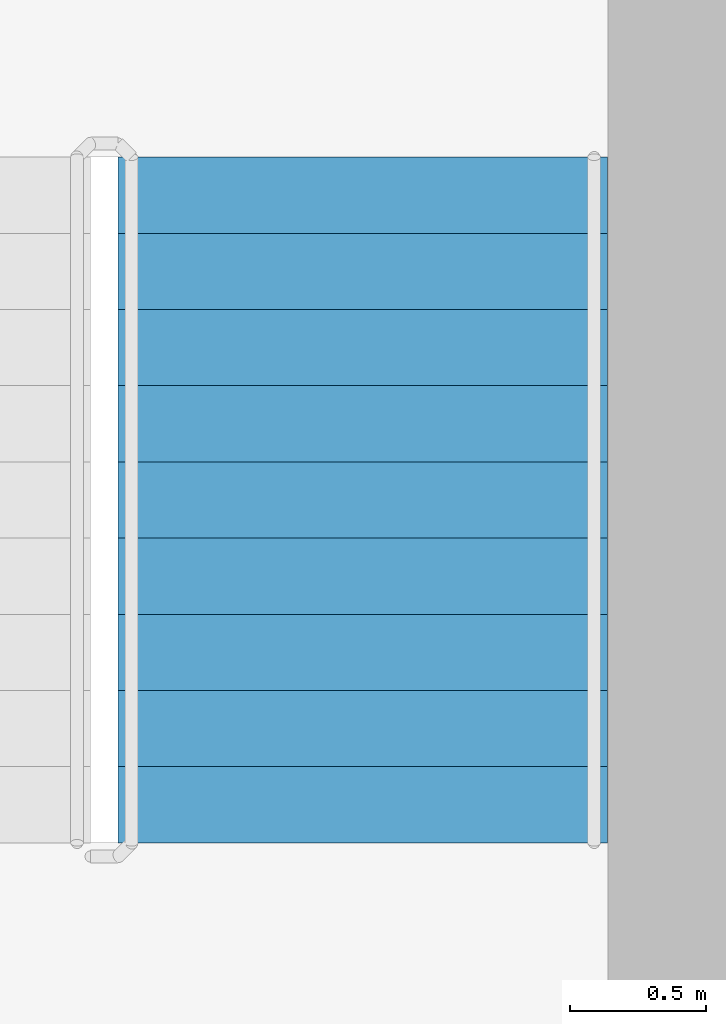
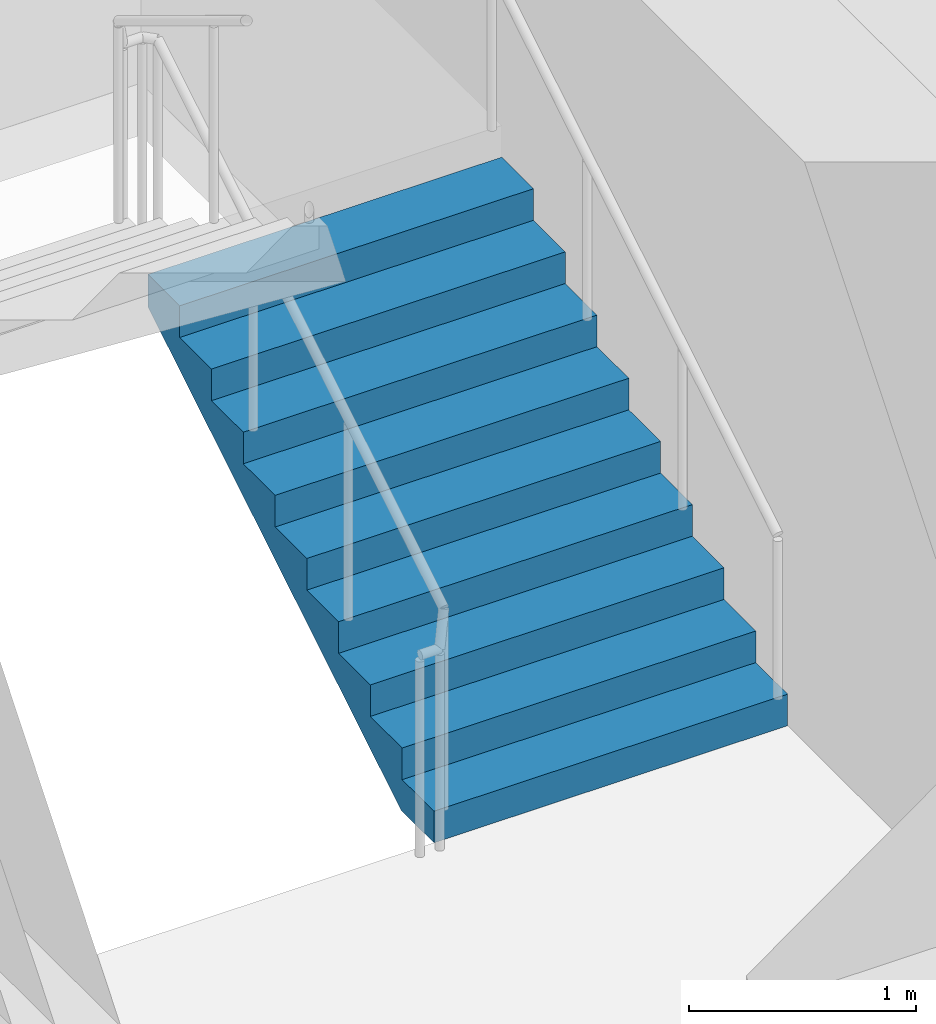
# One storey, part 12 of 22: 1 stair flight, 1 element without a shape of its own.
"""IFC4 building model written with IfcOpenShell, lengths in metres."""

from ifc_helpers import new_model, si_unit, direction, frame, origin, place, context, subcontext, project, spatial, triangles, source, transform, mapped, material, type_object, element, aggregate, save


model = new_model("IFC4")

# Units and contexts
model_context = context("Model", 3, precision=1e-05, world=origin(), true_north=direction((0.0, 1.0)))
body_context = subcontext(model_context, "Body", "Model", "MODEL_VIEW")
ifc_project = project(units=[si_unit("LENGTHUNIT", "METRE"), si_unit("AREAUNIT", "SQUARE_METRE"), si_unit("VOLUMEUNIT", "CUBIC_METRE"), si_unit("PLANEANGLEUNIT", "RADIAN"), si_unit("MASSUNIT", "GRAM", prefix="KILO")], contexts=[model_context])

# Site, building, storey
site_placement = place(None, origin())
site = spatial("IfcSite", under=ifc_project, at=site_placement, CompositionType="ELEMENT")
building_placement = place(site_placement, origin())
building = spatial("IfcBuilding", under=site, at=building_placement, Name="Kilnfold Tower and Market Hall", CompositionType="ELEMENT")
storey_placement = place(building_placement, frame((0.0, 0.0, 213.5)))
storey = spatial("IfcBuildingStorey", under=building, at=storey_placement, Name="L52", CompositionType="ELEMENT", Elevation=213.5)

# Stair, stair flight
ifc_material_1 = material(Name="Concrete C40/50", Category="concrete")
stair_type = type_object("IfcStairType", Name="CORE STAIR 1800", PredefinedType="HALF_TURN_STAIR", material=ifc_material_1)
stair_placement = place(storey_placement, origin())
stair = element("IfcStair", 1, at=stair_placement, inside=storey, type_object=stair_type, Name="L52 ST2", PredefinedType="HALF_TURN_STAIR")
ifc_material_2 = material(Name="Concrete C40/50", Category="concrete")
stair_flight_type = type_object("IfcStairFlightType", Name="CORE STAIR FLIGHT 1800", PredefinedType="STRAIGHT", material=ifc_material_2)
shared_shape = source(origin(), body_context, "Body", "Tessellation", [
    triangles([(0.0, 0.89990234375, 0.0), (0.0, 0.78759765625, 0.0), (0.0, 0.675048828125, 0.0), (0.0, 0.5625, 0.0), (0.0, 0.449951171875, 0.0), (0.0, 0.33740234375, 0.0), (0.0, 0.22509765625, 0.0), (0.0, 0.112548828125, 0.0), (0.0, 0.0, 0.0), (0.0, -0.112548828125, 0.0), (0.0, -0.22509765625, 0.0), (0.0, -0.33740234375, 0.0), (0.0, -0.449951171875, 0.0), (0.0, -0.5625, 0.0), (0.0, -0.675048828125, 0.0), (0.0, -0.78759765625, 0.0), (0.0, -0.89990234375, 0.0), (0.0, 0.89990234375, 0.169921875), (0.0, 0.78759765625, 0.169921875), (0.0, 0.675048828125, 0.169921875), (0.0, 0.5625, 0.169921875), (0.0, 0.449951171875, 0.169921875), (0.0, 0.33740234375, 0.169921875), (0.0, 0.22509765625, 0.169921875), (0.0, 0.112548828125, 0.169921875), (0.0, 0.0, 0.169921875), (0.0, -0.112548828125, 0.169921875), (0.0, -0.22509765625, 0.169921875), (0.0, -0.33740234375, 0.169921875), (0.0, -0.449951171875, 0.169921875), (0.0, -0.5625, 0.169921875), (0.0, -0.675048828125, 0.169921875), (0.0, -0.78759765625, 0.169921875), (0.0, -0.89990234375, 0.169921875), (0.280029296875, 0.89990234375, 0.169921875), (0.280029296875, 0.78759765625, 0.169921875), (0.280029296875, 0.675048828125, 0.169921875), (0.280029296875, 0.5625, 0.169921875), (0.280029296875, 0.449951171875, 0.169921875), (0.280029296875, 0.33740234375, 0.169921875), (0.280029296875, 0.22509765625, 0.169921875), (0.280029296875, 0.112548828125, 0.169921875), (0.280029296875, 0.0, 0.169921875), (0.280029296875, -0.112548828125, 0.169921875), (0.280029296875, -0.22509765625, 0.169921875), (0.280029296875, -0.33740234375, 0.169921875), (0.280029296875, -0.449951171875, 0.169921875), (0.280029296875, -0.5625, 0.169921875), (0.280029296875, -0.675048828125, 0.169921875), (0.280029296875, -0.78759765625, 0.169921875), (0.280029296875, -0.89990234375, 0.169921875), (0.280029296875, 0.89990234375, 0.340087890625), (0.280029296875, 0.78759765625, 0.340087890625), (0.280029296875, 0.675048828125, 0.340087890625), (0.280029296875, 0.5625, 0.340087890625), (0.280029296875, 0.449951171875, 0.340087890625), (0.280029296875, 0.33740234375, 0.340087890625), (0.280029296875, 0.22509765625, 0.340087890625), (0.280029296875, 0.112548828125, 0.340087890625), (0.280029296875, 0.0, 0.340087890625), (0.280029296875, -0.112548828125, 0.340087890625), (0.280029296875, -0.22509765625, 0.340087890625), (0.280029296875, -0.33740234375, 0.340087890625), (0.280029296875, -0.449951171875, 0.340087890625), (0.280029296875, -0.5625, 0.340087890625), (0.280029296875, -0.675048828125, 0.340087890625), (0.280029296875, -0.78759765625, 0.340087890625), (0.280029296875, -0.89990234375, 0.340087890625), (0.56005859375, 0.89990234375, 0.340087890625), (0.56005859375, 0.78759765625, 0.340087890625), (0.56005859375, 0.675048828125, 0.340087890625), (0.56005859375, 0.5625, 0.340087890625), (0.56005859375, 0.449951171875, 0.340087890625), (0.56005859375, 0.33740234375, 0.340087890625), (0.56005859375, 0.22509765625, 0.340087890625), (0.56005859375, 0.112548828125, 0.340087890625), (0.56005859375, 0.0, 0.340087890625), (0.56005859375, -0.112548828125, 0.340087890625), (0.56005859375, -0.22509765625, 0.340087890625), (0.56005859375, -0.33740234375, 0.340087890625), (0.56005859375, -0.449951171875, 0.340087890625), (0.56005859375, -0.5625, 0.340087890625), (0.56005859375, -0.675048828125, 0.340087890625), (0.56005859375, -0.78759765625, 0.340087890625), (0.56005859375, -0.89990234375, 0.340087890625), (0.56005859375, 0.89990234375, 0.510009765625), (0.56005859375, 0.78759765625, 0.510009765625), (0.56005859375, 0.675048828125, 0.510009765625), (0.56005859375, 0.5625, 0.510009765625), (0.56005859375, 0.449951171875, 0.510009765625), (0.56005859375, 0.33740234375, 0.510009765625), (0.56005859375, 0.22509765625, 0.510009765625), (0.56005859375, 0.112548828125, 0.510009765625), (0.56005859375, 0.0, 0.510009765625), (0.56005859375, -0.112548828125, 0.510009765625), (0.56005859375, -0.22509765625, 0.510009765625), (0.56005859375, -0.33740234375, 0.510009765625), (0.56005859375, -0.449951171875, 0.510009765625), (0.56005859375, -0.5625, 0.510009765625), (0.56005859375, -0.675048828125, 0.510009765625), (0.56005859375, -0.78759765625, 0.510009765625), (0.56005859375, -0.89990234375, 0.510009765625), (0.840087890625, 0.89990234375, 0.510009765625), (0.840087890625, 0.78759765625, 0.510009765625), (0.840087890625, 0.675048828125, 0.510009765625), (0.840087890625, 0.5625, 0.510009765625), (0.840087890625, 0.449951171875, 0.510009765625), (0.840087890625, 0.33740234375, 0.510009765625), (0.840087890625, 0.22509765625, 0.510009765625), (0.840087890625, 0.112548828125, 0.510009765625), (0.840087890625, 0.0, 0.510009765625), (0.840087890625, -0.112548828125, 0.510009765625), (0.840087890625, -0.22509765625, 0.510009765625), (0.840087890625, -0.33740234375, 0.510009765625), (0.840087890625, -0.449951171875, 0.510009765625), (0.840087890625, -0.5625, 0.510009765625), (0.840087890625, -0.675048828125, 0.510009765625), (0.840087890625, -0.78759765625, 0.510009765625), (0.840087890625, -0.89990234375, 0.510009765625), (0.840087890625, 0.89990234375, 0.679931640625), (0.840087890625, 0.78759765625, 0.679931640625), (0.840087890625, 0.675048828125, 0.679931640625), (0.840087890625, 0.5625, 0.679931640625), (0.840087890625, 0.449951171875, 0.679931640625), (0.840087890625, 0.33740234375, 0.679931640625), (0.840087890625, 0.22509765625, 0.679931640625), (0.840087890625, 0.112548828125, 0.679931640625), (0.840087890625, 0.0, 0.679931640625), (0.840087890625, -0.112548828125, 0.679931640625), (0.840087890625, -0.22509765625, 0.679931640625), (0.840087890625, -0.33740234375, 0.679931640625), (0.840087890625, -0.449951171875, 0.679931640625), (0.840087890625, -0.5625, 0.679931640625), (0.840087890625, -0.675048828125, 0.679931640625), (0.840087890625, -0.78759765625, 0.679931640625), (0.840087890625, -0.89990234375, 0.679931640625), (1.1201171875, 0.89990234375, 0.679931640625), (1.1201171875, 0.78759765625, 0.679931640625), (1.1201171875, 0.675048828125, 0.679931640625), (1.1201171875, 0.5625, 0.679931640625), (1.1201171875, 0.449951171875, 0.679931640625), (1.1201171875, 0.33740234375, 0.679931640625), (1.1201171875, 0.22509765625, 0.679931640625), (1.1201171875, 0.112548828125, 0.679931640625), (1.1201171875, 0.0, 0.679931640625), (1.1201171875, -0.112548828125, 0.679931640625), (1.1201171875, -0.22509765625, 0.679931640625), (1.1201171875, -0.33740234375, 0.679931640625), (1.1201171875, -0.449951171875, 0.679931640625), (1.1201171875, -0.5625, 0.679931640625), (1.1201171875, -0.675048828125, 0.679931640625), (1.1201171875, -0.78759765625, 0.679931640625), (1.1201171875, -0.89990234375, 0.679931640625), (1.1201171875, 0.89990234375, 0.85009765625), (1.1201171875, 0.78759765625, 0.85009765625), (1.1201171875, 0.675048828125, 0.85009765625), (1.1201171875, 0.5625, 0.85009765625), (1.1201171875, 0.449951171875, 0.85009765625), (1.1201171875, 0.33740234375, 0.85009765625), (1.1201171875, 0.22509765625, 0.85009765625), (1.1201171875, 0.112548828125, 0.85009765625), (1.1201171875, 0.0, 0.85009765625), (1.1201171875, -0.112548828125, 0.85009765625), (1.1201171875, -0.22509765625, 0.85009765625), (1.1201171875, -0.33740234375, 0.85009765625), (1.1201171875, -0.449951171875, 0.85009765625), (1.1201171875, -0.5625, 0.85009765625), (1.1201171875, -0.675048828125, 0.85009765625), (1.1201171875, -0.78759765625, 0.85009765625), (1.1201171875, -0.89990234375, 0.85009765625), (1.39990234375, 0.89990234375, 0.85009765625), (1.39990234375, 0.78759765625, 0.85009765625), (1.39990234375, 0.675048828125, 0.85009765625), (1.39990234375, 0.5625, 0.85009765625), (1.39990234375, 0.449951171875, 0.85009765625), (1.39990234375, 0.33740234375, 0.85009765625), (1.39990234375, 0.22509765625, 0.85009765625), (1.39990234375, 0.112548828125, 0.85009765625), (1.39990234375, 0.0, 0.85009765625), (1.39990234375, -0.112548828125, 0.85009765625), (1.39990234375, -0.22509765625, 0.85009765625), (1.39990234375, -0.33740234375, 0.85009765625), (1.39990234375, -0.449951171875, 0.85009765625), (1.39990234375, -0.5625, 0.85009765625), (1.39990234375, -0.675048828125, 0.85009765625), (1.39990234375, -0.78759765625, 0.85009765625), (1.39990234375, -0.89990234375, 0.85009765625), (1.39990234375, 0.89990234375, 1.02001953125), (1.39990234375, 0.78759765625, 1.02001953125), (1.39990234375, 0.675048828125, 1.02001953125), (1.39990234375, 0.5625, 1.02001953125), (1.39990234375, 0.449951171875, 1.02001953125), (1.39990234375, 0.33740234375, 1.02001953125), (1.39990234375, 0.22509765625, 1.02001953125), (1.39990234375, 0.112548828125, 1.02001953125), (1.39990234375, 0.0, 1.02001953125), (1.39990234375, -0.112548828125, 1.02001953125), (1.39990234375, -0.22509765625, 1.02001953125), (1.39990234375, -0.33740234375, 1.02001953125), (1.39990234375, -0.449951171875, 1.02001953125), (1.39990234375, -0.5625, 1.02001953125), (1.39990234375, -0.675048828125, 1.02001953125), (1.39990234375, -0.78759765625, 1.02001953125), (1.39990234375, -0.89990234375, 1.02001953125), (1.679931640625, 0.89990234375, 1.02001953125), (1.679931640625, 0.78759765625, 1.02001953125), (1.679931640625, 0.675048828125, 1.02001953125), (1.679931640625, 0.5625, 1.02001953125), (1.679931640625, 0.449951171875, 1.02001953125), (1.679931640625, 0.33740234375, 1.02001953125), (1.679931640625, 0.22509765625, 1.02001953125), (1.679931640625, 0.112548828125, 1.02001953125), (1.679931640625, 0.0, 1.02001953125), (1.679931640625, -0.112548828125, 1.02001953125), (1.679931640625, -0.22509765625, 1.02001953125), (1.679931640625, -0.33740234375, 1.02001953125), (1.679931640625, -0.449951171875, 1.02001953125), (1.679931640625, -0.5625, 1.02001953125), (1.679931640625, -0.675048828125, 1.02001953125), (1.679931640625, -0.78759765625, 1.02001953125), (1.679931640625, -0.89990234375, 1.02001953125), (1.679931640625, 0.89990234375, 1.18994140625), (1.679931640625, 0.78759765625, 1.18994140625), (1.679931640625, 0.675048828125, 1.18994140625), (1.679931640625, 0.5625, 1.18994140625), (1.679931640625, 0.449951171875, 1.18994140625), (1.679931640625, 0.33740234375, 1.18994140625), (1.679931640625, 0.22509765625, 1.18994140625), (1.679931640625, 0.112548828125, 1.18994140625), (1.679931640625, 0.0, 1.18994140625), (1.679931640625, -0.112548828125, 1.18994140625), (1.679931640625, -0.22509765625, 1.18994140625), (1.679931640625, -0.33740234375, 1.18994140625), (1.679931640625, -0.449951171875, 1.18994140625), (1.679931640625, -0.5625, 1.18994140625), (1.679931640625, -0.675048828125, 1.18994140625), (1.679931640625, -0.78759765625, 1.18994140625), (1.679931640625, -0.89990234375, 1.18994140625), (1.9599609375, 0.89990234375, 1.18994140625), (1.9599609375, 0.78759765625, 1.18994140625), (1.9599609375, 0.675048828125, 1.18994140625), (1.9599609375, 0.5625, 1.18994140625), (1.9599609375, 0.449951171875, 1.18994140625), (1.9599609375, 0.33740234375, 1.18994140625), (1.9599609375, 0.22509765625, 1.18994140625), (1.9599609375, 0.112548828125, 1.18994140625), (1.9599609375, 0.0, 1.18994140625), (1.9599609375, -0.112548828125, 1.18994140625), (1.9599609375, -0.22509765625, 1.18994140625), (1.9599609375, -0.33740234375, 1.18994140625), (1.9599609375, -0.449951171875, 1.18994140625), (1.9599609375, -0.5625, 1.18994140625), (1.9599609375, -0.675048828125, 1.18994140625), (1.9599609375, -0.78759765625, 1.18994140625), (1.9599609375, -0.89990234375, 1.18994140625), (1.9599609375, 0.89990234375, 1.360107421875), (1.9599609375, 0.78759765625, 1.360107421875), (1.9599609375, 0.675048828125, 1.360107421875), (1.9599609375, 0.5625, 1.360107421875), (1.9599609375, 0.449951171875, 1.360107421875), (1.9599609375, 0.33740234375, 1.360107421875), (1.9599609375, 0.22509765625, 1.360107421875), (1.9599609375, 0.112548828125, 1.360107421875), (1.9599609375, 0.0, 1.360107421875), (1.9599609375, -0.112548828125, 1.360107421875), (1.9599609375, -0.22509765625, 1.360107421875), (1.9599609375, -0.33740234375, 1.360107421875), (1.9599609375, -0.449951171875, 1.360107421875), (1.9599609375, -0.5625, 1.360107421875), (1.9599609375, -0.675048828125, 1.360107421875), (1.9599609375, -0.78759765625, 1.360107421875), (1.9599609375, -0.89990234375, 1.360107421875), (2.239990234375, 0.89990234375, 1.360107421875), (2.239990234375, 0.78759765625, 1.360107421875), (2.239990234375, 0.675048828125, 1.360107421875), (2.239990234375, 0.5625, 1.360107421875), (2.239990234375, 0.449951171875, 1.360107421875), (2.239990234375, 0.33740234375, 1.360107421875), (2.239990234375, 0.22509765625, 1.360107421875), (2.239990234375, 0.112548828125, 1.360107421875), (2.239990234375, 0.0, 1.360107421875), (2.239990234375, -0.112548828125, 1.360107421875), (2.239990234375, -0.22509765625, 1.360107421875), (2.239990234375, -0.33740234375, 1.360107421875), (2.239990234375, -0.449951171875, 1.360107421875), (2.239990234375, -0.5625, 1.360107421875), (2.239990234375, -0.675048828125, 1.360107421875), (2.239990234375, -0.78759765625, 1.360107421875), (2.239990234375, -0.89990234375, 1.360107421875), (2.239990234375, 0.89990234375, 1.530029296875), (2.239990234375, 0.78759765625, 1.530029296875), (2.239990234375, 0.675048828125, 1.530029296875), (2.239990234375, 0.5625, 1.530029296875), (2.239990234375, 0.449951171875, 1.530029296875), (2.239990234375, 0.33740234375, 1.530029296875), (2.239990234375, 0.22509765625, 1.530029296875), (2.239990234375, 0.112548828125, 1.530029296875), (2.239990234375, 0.0, 1.530029296875), (2.239990234375, -0.112548828125, 1.530029296875), (2.239990234375, -0.22509765625, 1.530029296875), (2.239990234375, -0.33740234375, 1.530029296875), (2.239990234375, -0.449951171875, 1.530029296875), (2.239990234375, -0.5625, 1.530029296875), (2.239990234375, -0.675048828125, 1.530029296875), (2.239990234375, -0.78759765625, 1.530029296875), (2.239990234375, -0.89990234375, 1.530029296875), (2.52001953125, 0.89990234375, 1.530029296875), (2.52001953125, 0.78759765625, 1.530029296875), (2.52001953125, 0.675048828125, 1.530029296875), (2.52001953125, 0.5625, 1.530029296875), (2.52001953125, 0.449951171875, 1.530029296875), (2.52001953125, 0.33740234375, 1.530029296875), (2.52001953125, 0.22509765625, 1.530029296875), (2.52001953125, 0.112548828125, 1.530029296875), (2.52001953125, 0.0, 1.530029296875), (2.52001953125, -0.112548828125, 1.530029296875), (2.52001953125, -0.22509765625, 1.530029296875), (2.52001953125, -0.33740234375, 1.530029296875), (2.52001953125, -0.449951171875, 1.530029296875), (2.52001953125, -0.5625, 1.530029296875), (2.52001953125, -0.675048828125, 1.530029296875), (2.52001953125, -0.78759765625, 1.530029296875), (2.52001953125, -0.89990234375, 1.530029296875), (2.52001953125, 0.89990234375, 1.354736328125), (2.52001953125, 0.78759765625, 1.354736328125), (2.52001953125, 0.675048828125, 1.354736328125), (2.52001953125, 0.5625, 1.354736328125), (2.52001953125, 0.449951171875, 1.354736328125), (2.52001953125, 0.33740234375, 1.354736328125), (2.52001953125, 0.22509765625, 1.354736328125), (2.52001953125, 0.112548828125, 1.354736328125), (2.52001953125, 0.0, 1.354736328125), (2.52001953125, -0.112548828125, 1.354736328125), (2.52001953125, -0.22509765625, 1.354736328125), (2.52001953125, -0.33740234375, 1.354736328125), (2.52001953125, -0.449951171875, 1.354736328125), (2.52001953125, -0.5625, 1.354736328125), (2.52001953125, -0.675048828125, 1.354736328125), (2.52001953125, -0.78759765625, 1.354736328125), (2.52001953125, -0.89990234375, 1.354736328125), (0.288818359375, 0.89990234375, 0.0), (0.288818359375, 0.78759765625, 0.0), (0.288818359375, 0.675048828125, 0.0), (0.288818359375, 0.5625, 0.0), (0.288818359375, 0.449951171875, 0.0), (0.288818359375, 0.33740234375, 0.0), (0.288818359375, 0.22509765625, 0.0), (0.288818359375, 0.112548828125, 0.0), (0.288818359375, 0.0, 0.0), (0.288818359375, -0.112548828125, 0.0), (0.288818359375, -0.22509765625, 0.0), (0.288818359375, -0.33740234375, 0.0), (0.288818359375, -0.449951171875, 0.0), (0.288818359375, -0.5625, 0.0), (0.288818359375, -0.675048828125, 0.0), (0.288818359375, -0.78759765625, 0.0), (0.288818359375, -0.89990234375, 0.0)], [[1, 324, 341], [17, 357, 340], [324, 290, 307], [340, 323, 306], [324, 273, 290], [340, 306, 289], [324, 256, 273], [340, 289, 272], [324, 239, 256], [340, 272, 255], [239, 205, 222], [255, 238, 221], [324, 205, 239], [340, 255, 221], [205, 171, 188], [221, 204, 187], [324, 171, 205], [340, 221, 187], [171, 137, 154], [187, 170, 153], [324, 137, 171], [340, 187, 153], [137, 103, 120], [153, 136, 119], [324, 103, 137], [340, 153, 119], [103, 69, 86], [119, 102, 85], [324, 69, 103], [340, 119, 85], [69, 35, 52], [85, 68, 51], [324, 35, 69], [340, 85, 51], [1, 35, 324], [17, 340, 51], [35, 1, 18], [51, 34, 17], [1, 19, 18], [1, 2, 19], [2, 20, 19], [2, 3, 20], [3, 21, 20], [3, 4, 21], [4, 22, 21], [4, 5, 22], [5, 23, 22], [5, 6, 23], [6, 24, 23], [6, 7, 24], [7, 25, 24], [7, 8, 25], [8, 26, 25], [8, 9, 26], [9, 27, 26], [9, 10, 27], [10, 28, 27], [10, 11, 28], [11, 29, 28], [11, 12, 29], [12, 30, 29], [12, 13, 30], [13, 31, 30], [13, 14, 31], [14, 32, 31], [14, 15, 32], [15, 33, 32], [15, 16, 33], [16, 34, 33], [16, 17, 34], [18, 36, 35], [18, 19, 36], [19, 37, 36], [19, 20, 37], [20, 38, 37], [20, 21, 38], [21, 39, 38], [21, 22, 39], [22, 40, 39], [22, 23, 40], [23, 41, 40], [23, 24, 41], [24, 42, 41], [24, 25, 42], [25, 43, 42], [25, 26, 43], [26, 44, 43], [26, 27, 44], [27, 45, 44], [27, 28, 45], [28, 46, 45], [28, 29, 46], [29, 47, 46], [29, 30, 47], [30, 48, 47], [30, 31, 48], [31, 49, 48], [31, 32, 49], [32, 50, 49], [32, 33, 50], [33, 51, 50], [33, 34, 51], [35, 53, 52], [35, 36, 53], [36, 54, 53], [36, 37, 54], [37, 55, 54], [37, 38, 55], [38, 56, 55], [38, 39, 56], [39, 57, 56], [39, 40, 57], [40, 58, 57], [40, 41, 58], [41, 59, 58], [41, 42, 59], [42, 60, 59], [42, 43, 60], [43, 61, 60], [43, 44, 61], [44, 62, 61], [44, 45, 62], [45, 63, 62], [45, 46, 63], [46, 64, 63], [46, 47, 64], [47, 65, 64], [47, 48, 65], [48, 66, 65], [48, 49, 66], [49, 67, 66], [49, 50, 67], [50, 68, 67], [50, 51, 68], [52, 70, 69], [52, 53, 70], [53, 71, 70], [53, 54, 71], [54, 72, 71], [54, 55, 72], [55, 73, 72], [55, 56, 73], [56, 74, 73], [56, 57, 74], [57, 75, 74], [57, 58, 75], [58, 76, 75], [58, 59, 76], [59, 77, 76], [59, 60, 77], [60, 78, 77], [60, 61, 78], [61, 79, 78], [61, 62, 79], [62, 80, 79], [62, 63, 80], [63, 81, 80], [63, 64, 81], [64, 82, 81], [64, 65, 82], [65, 83, 82], [65, 66, 83], [66, 84, 83], [66, 67, 84], [67, 85, 84], [67, 68, 85], [69, 87, 86], [69, 70, 87], [70, 88, 87], [70, 71, 88], [71, 89, 88], [71, 72, 89], [72, 90, 89], [72, 73, 90], [73, 91, 90], [73, 74, 91], [74, 92, 91], [74, 75, 92], [75, 93, 92], [75, 76, 93], [76, 94, 93], [76, 77, 94], [77, 95, 94], [77, 78, 95], [78, 96, 95], [78, 79, 96], [79, 97, 96], [79, 80, 97], [80, 98, 97], [80, 81, 98], [81, 99, 98], [81, 82, 99], [82, 100, 99], [82, 83, 100], [83, 101, 100], [83, 84, 101], [84, 102, 101], [84, 85, 102], [86, 104, 103], [86, 87, 104], [87, 105, 104], [87, 88, 105], [88, 106, 105], [88, 89, 106], [89, 107, 106], [89, 90, 107], [90, 108, 107], [90, 91, 108], [91, 109, 108], [91, 92, 109], [92, 110, 109], [92, 93, 110], [93, 111, 110], [93, 94, 111], [94, 112, 111], [94, 95, 112], [95, 113, 112], [95, 96, 113], [96, 114, 113], [96, 97, 114], [97, 115, 114], [97, 98, 115], [98, 116, 115], [98, 99, 116], [99, 117, 116], [99, 100, 117], [100, 118, 117], [100, 101, 118], [101, 119, 118], [101, 102, 119], [103, 121, 120], [103, 104, 121], [104, 122, 121], [104, 105, 122], [105, 123, 122], [105, 106, 123], [106, 124, 123], [106, 107, 124], [107, 125, 124], [107, 108, 125], [108, 126, 125], [108, 109, 126], [109, 127, 126], [109, 110, 127], [110, 128, 127], [110, 111, 128], [111, 129, 128], [111, 112, 129], [112, 130, 129], [112, 113, 130], [113, 131, 130], [113, 114, 131], [114, 132, 131], [114, 115, 132], [115, 133, 132], [115, 116, 133], [116, 134, 133], [116, 117, 134], [117, 135, 134], [117, 118, 135], [118, 136, 135], [118, 119, 136], [120, 138, 137], [120, 121, 138], [121, 139, 138], [121, 122, 139], [122, 140, 139], [122, 123, 140], [123, 141, 140], [123, 124, 141], [124, 142, 141], [124, 125, 142], [125, 143, 142], [125, 126, 143], [126, 144, 143], [126, 127, 144], [127, 145, 144], [127, 128, 145], [128, 146, 145], [128, 129, 146], [129, 147, 146], [129, 130, 147], [130, 148, 147], [130, 131, 148], [131, 149, 148], [131, 132, 149], [132, 150, 149], [132, 133, 150], [133, 151, 150], [133, 134, 151], [134, 152, 151], [134, 135, 152], [135, 153, 152], [135, 136, 153], [137, 155, 154], [137, 138, 155], [138, 156, 155], [138, 139, 156], [139, 157, 156], [139, 140, 157], [140, 158, 157], [140, 141, 158], [141, 159, 158], [141, 142, 159], [142, 160, 159], [142, 143, 160], [143, 161, 160], [143, 144, 161], [144, 162, 161], [144, 145, 162], [145, 163, 162], [145, 146, 163], [146, 164, 163], [146, 147, 164], [147, 165, 164], [147, 148, 165], [148, 166, 165], [148, 149, 166], [149, 167, 166], [149, 150, 167], [150, 168, 167], [150, 151, 168], [151, 169, 168], [151, 152, 169], [152, 170, 169], [152, 153, 170], [154, 172, 171], [154, 155, 172], [155, 173, 172], [155, 156, 173], [156, 174, 173], [156, 157, 174], [157, 175, 174], [157, 158, 175], [158, 176, 175], [158, 159, 176], [159, 177, 176], [159, 160, 177], [160, 178, 177], [160, 161, 178], [161, 179, 178], [161, 162, 179], [162, 180, 179], [162, 163, 180], [163, 181, 180], [163, 164, 181], [164, 182, 181], [164, 165, 182], [165, 183, 182], [165, 166, 183], [166, 184, 183], [166, 167, 184], [167, 185, 184], [167, 168, 185], [168, 186, 185], [168, 169, 186], [169, 187, 186], [169, 170, 187], [171, 189, 188], [171, 172, 189], [172, 190, 189], [172, 173, 190], [173, 191, 190], [173, 174, 191], [174, 192, 191], [174, 175, 192], [175, 193, 192], [175, 176, 193], [176, 194, 193], [176, 177, 194], [177, 195, 194], [177, 178, 195], [178, 196, 195], [178, 179, 196], [179, 197, 196], [179, 180, 197], [180, 198, 197], [180, 181, 198], [181, 199, 198], [181, 182, 199], [182, 200, 199], [182, 183, 200], [183, 201, 200], [183, 184, 201], [184, 202, 201], [184, 185, 202], [185, 203, 202], [185, 186, 203], [186, 204, 203], [186, 187, 204], [188, 206, 205], [188, 189, 206], [189, 207, 206], [189, 190, 207], [190, 208, 207], [190, 191, 208], [191, 209, 208], [191, 192, 209], [192, 210, 209], [192, 193, 210], [193, 211, 210], [193, 194, 211], [194, 212, 211], [194, 195, 212], [195, 213, 212], [195, 196, 213], [196, 214, 213], [196, 197, 214], [197, 215, 214], [197, 198, 215], [198, 216, 215], [198, 199, 216], [199, 217, 216], [199, 200, 217], [200, 218, 217], [200, 201, 218], [201, 219, 218], [201, 202, 219], [202, 220, 219], [202, 203, 220], [203, 221, 220], [203, 204, 221], [205, 223, 222], [205, 206, 223], [206, 224, 223], [206, 207, 224], [207, 225, 224], [207, 208, 225], [208, 226, 225], [208, 209, 226], [209, 227, 226], [209, 210, 227], [210, 228, 227], [210, 211, 228], [211, 229, 228], [211, 212, 229], [212, 230, 229], [212, 213, 230], [213, 231, 230], [213, 214, 231], [214, 232, 231], [214, 215, 232], [215, 233, 232], [215, 216, 233], [216, 234, 233], [216, 217, 234], [217, 235, 234], [217, 218, 235], [218, 236, 235], [218, 219, 236], [219, 237, 236], [219, 220, 237], [220, 238, 237], [220, 221, 238], [222, 240, 239], [222, 223, 240], [223, 241, 240], [223, 224, 241], [224, 242, 241], [224, 225, 242], [225, 243, 242], [225, 226, 243], [226, 244, 243], [226, 227, 244], [227, 245, 244], [227, 228, 245], [228, 246, 245], [228, 229, 246], [229, 247, 246], [229, 230, 247], [230, 248, 247], [230, 231, 248], [231, 249, 248], [231, 232, 249], [232, 250, 249], [232, 233, 250], [233, 251, 250], [233, 234, 251], [234, 252, 251], [234, 235, 252], [235, 253, 252], [235, 236, 253], [236, 254, 253], [236, 237, 254], [237, 255, 254], [237, 238, 255], [239, 257, 256], [239, 240, 257], [240, 258, 257], [240, 241, 258], [241, 259, 258], [241, 242, 259], [242, 260, 259], [242, 243, 260], [243, 261, 260], [243, 244, 261], [244, 262, 261], [244, 245, 262], [245, 263, 262], [245, 246, 263], [246, 264, 263], [246, 247, 264], [247, 265, 264], [247, 248, 265], [248, 266, 265], [248, 249, 266], [249, 267, 266], [249, 250, 267], [250, 268, 267], [250, 251, 268], [251, 269, 268], [251, 252, 269], [252, 270, 269], [252, 253, 270], [253, 271, 270], [253, 254, 271], [254, 272, 271], [254, 255, 272], [256, 274, 273], [256, 257, 274], [257, 275, 274], [257, 258, 275], [258, 276, 275], [258, 259, 276], [259, 277, 276], [259, 260, 277], [260, 278, 277], [260, 261, 278], [261, 279, 278], [261, 262, 279], [262, 280, 279], [262, 263, 280], [263, 281, 280], [263, 264, 281], [264, 282, 281], [264, 265, 282], [265, 283, 282], [265, 266, 283], [266, 284, 283], [266, 267, 284], [267, 285, 284], [267, 268, 285], [268, 286, 285], [268, 269, 286], [269, 287, 286], [269, 270, 287], [270, 288, 287], [270, 271, 288], [271, 289, 288], [271, 272, 289], [273, 291, 290], [273, 274, 291], [274, 292, 291], [274, 275, 292], [275, 293, 292], [275, 276, 293], [276, 294, 293], [276, 277, 294], [277, 295, 294], [277, 278, 295], [278, 296, 295], [278, 279, 296], [279, 297, 296], [279, 280, 297], [280, 298, 297], [280, 281, 298], [281, 299, 298], [281, 282, 299], [282, 300, 299], [282, 283, 300], [283, 301, 300], [283, 284, 301], [284, 302, 301], [284, 285, 302], [285, 303, 302], [285, 286, 303], [286, 304, 303], [286, 287, 304], [287, 305, 304], [287, 288, 305], [288, 306, 305], [288, 289, 306], [290, 308, 307], [290, 291, 308], [291, 309, 308], [291, 292, 309], [292, 310, 309], [292, 293, 310], [293, 311, 310], [293, 294, 311], [294, 312, 311], [294, 295, 312], [295, 313, 312], [295, 296, 313], [296, 314, 313], [296, 297, 314], [297, 315, 314], [297, 298, 315], [298, 316, 315], [298, 299, 316], [299, 317, 316], [299, 300, 317], [300, 318, 317], [300, 301, 318], [301, 319, 318], [301, 302, 319], [302, 320, 319], [302, 303, 320], [303, 321, 320], [303, 304, 321], [304, 322, 321], [304, 305, 322], [305, 323, 322], [305, 306, 323], [307, 325, 324], [307, 308, 325], [308, 326, 325], [308, 309, 326], [309, 327, 326], [309, 310, 327], [310, 328, 327], [310, 311, 328], [311, 329, 328], [311, 312, 329], [312, 330, 329], [312, 313, 330], [313, 331, 330], [313, 314, 331], [314, 332, 331], [314, 315, 332], [315, 333, 332], [315, 316, 333], [316, 334, 333], [316, 317, 334], [317, 335, 334], [317, 318, 335], [318, 336, 335], [318, 319, 336], [319, 337, 336], [319, 320, 337], [320, 338, 337], [320, 321, 338], [321, 339, 338], [321, 322, 339], [322, 340, 339], [322, 323, 340], [324, 342, 341], [324, 325, 342], [325, 343, 342], [325, 326, 343], [326, 344, 343], [326, 327, 344], [327, 345, 344], [327, 328, 345], [328, 346, 345], [328, 329, 346], [329, 347, 346], [329, 330, 347], [330, 348, 347], [330, 331, 348], [331, 349, 348], [331, 332, 349], [332, 350, 349], [332, 333, 350], [333, 351, 350], [333, 334, 351], [334, 352, 351], [334, 335, 352], [335, 353, 352], [335, 336, 353], [336, 354, 353], [336, 337, 354], [337, 355, 354], [337, 338, 355], [338, 356, 355], [338, 339, 356], [339, 357, 356], [339, 340, 357], [341, 2, 1], [341, 342, 2], [342, 3, 2], [342, 343, 3], [343, 4, 3], [343, 344, 4], [344, 5, 4], [344, 345, 5], [345, 6, 5], [345, 346, 6], [346, 7, 6], [346, 347, 7], [347, 8, 7], [347, 348, 8], [348, 9, 8], [348, 349, 9], [349, 10, 9], [349, 350, 10], [350, 11, 10], [350, 351, 11], [351, 12, 11], [351, 352, 12], [352, 13, 12], [352, 353, 13], [353, 14, 13], [353, 354, 14], [354, 15, 14], [354, 355, 15], [355, 16, 15], [355, 356, 16], [356, 17, 16], [356, 357, 17]], closed=True),
])
stair_flight_placement = place(storey_placement, frame((16.199951171875, 10.800048828125, 0.0), z_axis=(0.0, 0.0, 1.0), x_axis=(0.0, 1.0, 0.0)))
stair_flight = element("IfcStairFlight", 2, at=stair_flight_placement, type_object=stair_flight_type, Name="ST2 flight 1", NumberOfRisers=10, NumberOfTreads=9, PredefinedType="STRAIGHT", RiserHeight=0.17, TreadLength=0.28, context=body_context, shape_type="MappedRepresentation", body=[
    mapped(shared_shape, transform((0.0, 0.0, 0.0))),
])
aggregate(stair, [stair_flight])

save(model, "model.ifc")
